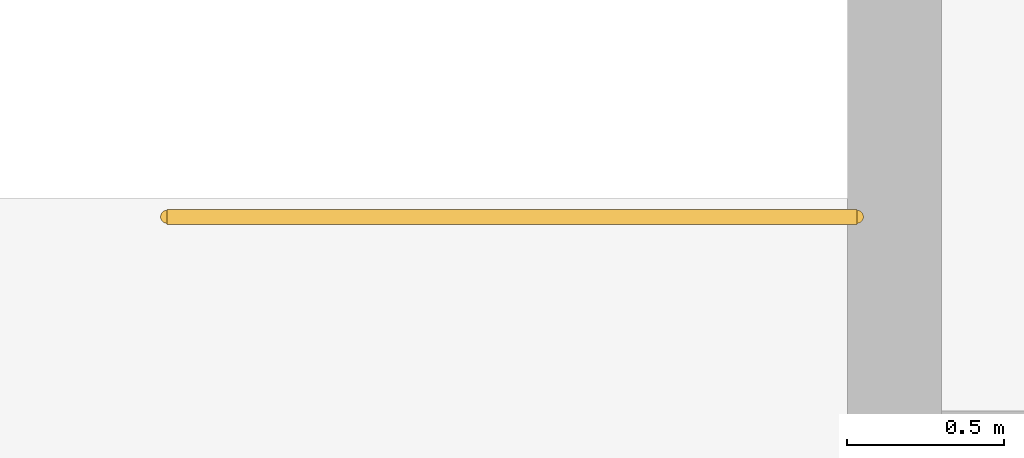
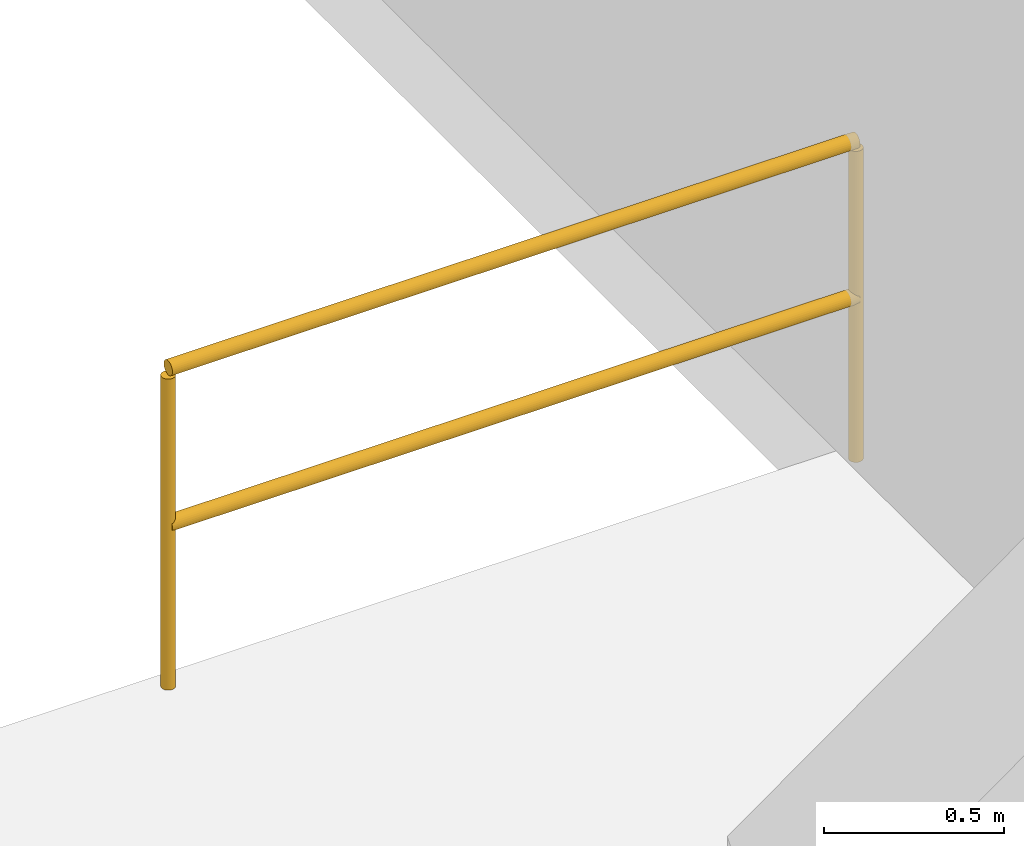
# One storey, part 21 of 21: 1 railing.
"""IFC4 building model written with IfcOpenShell, lengths in metres."""

from ifc_helpers import new_model, si_unit, direction, frame, origin, origin_2d, place, context, subcontext, project, spatial, circle, extrude, material, type_object, element, save


model = new_model("IFC4")

# Units and contexts
model_context = context("Model", 3, precision=1e-05, world=origin(), true_north=direction((0.0, 1.0)))
body_context = subcontext(model_context, "Body", "Model", "MODEL_VIEW")
ifc_project = project(units=[si_unit("LENGTHUNIT", "METRE"), si_unit("AREAUNIT", "SQUARE_METRE"), si_unit("VOLUMEUNIT", "CUBIC_METRE"), si_unit("PLANEANGLEUNIT", "RADIAN"), si_unit("MASSUNIT", "GRAM", prefix="KILO")], contexts=[model_context])

# Site, building, storey
site_placement = place(None, origin())
site = spatial("IfcSite", under=ifc_project, at=site_placement, CompositionType="ELEMENT")
building_placement = place(site_placement, origin())
building = spatial("IfcBuilding", under=site, at=building_placement, Name="Veldorina Hangang Commons", CompositionType="ELEMENT")
storey_placement = place(building_placement, frame((0.0, 0.0, 19.60009765625)))
storey = spatial("IfcBuildingStorey", under=building, at=storey_placement, Name="L04", CompositionType="ELEMENT", Elevation=19.60009765625)

# Railing
ifc_material = material(Name="Steel Painted Balustrade", Category="steel")
railing_type = type_object("IfcRailingType", Name="RL-GRD-STAIR", PredefinedType="GUARDRAIL", material=ifc_material)
railing_placement = place(storey_placement, frame((8.39990234375, 36.35009765625, 0.0)))
element("IfcRailing", 1, at=railing_placement, inside=storey, type_object=railing_type, Name="L04 ST-P1 top well guard 1", PredefinedType="GUARDRAIL", context=body_context, shape_type="SweptSolid", body=[
    extrude(circle(Radius=0.02392578125, at=origin_2d()), frame((0.0, 0.0, 1.076171875), z_axis=(-1.0, 0.0, 0.0), x_axis=(0.0, -1.0, 0.0)), (0.0, 0.0, 1.0), 2.199951171875),
    extrude(circle(Radius=0.02392578125, at=origin_2d()), frame((0.0, 0.0, 0.550048828125), z_axis=(-1.0, 0.0, 0.0), x_axis=(0.0, -1.0, 0.0)), (0.0, 0.0, 1.0), 2.199951171875),
    extrude(circle(Radius=0.02099609375, at=origin_2d()), origin(), (0.0, 0.0, 1.0), 1.052001953125),
    extrude(circle(Radius=0.02099609375, at=origin_2d()), frame((-2.199951171875, 0.0, 0.0)), (0.0, 0.0, 1.0), 1.052001953125),
])

save(model, "model.ifc")
